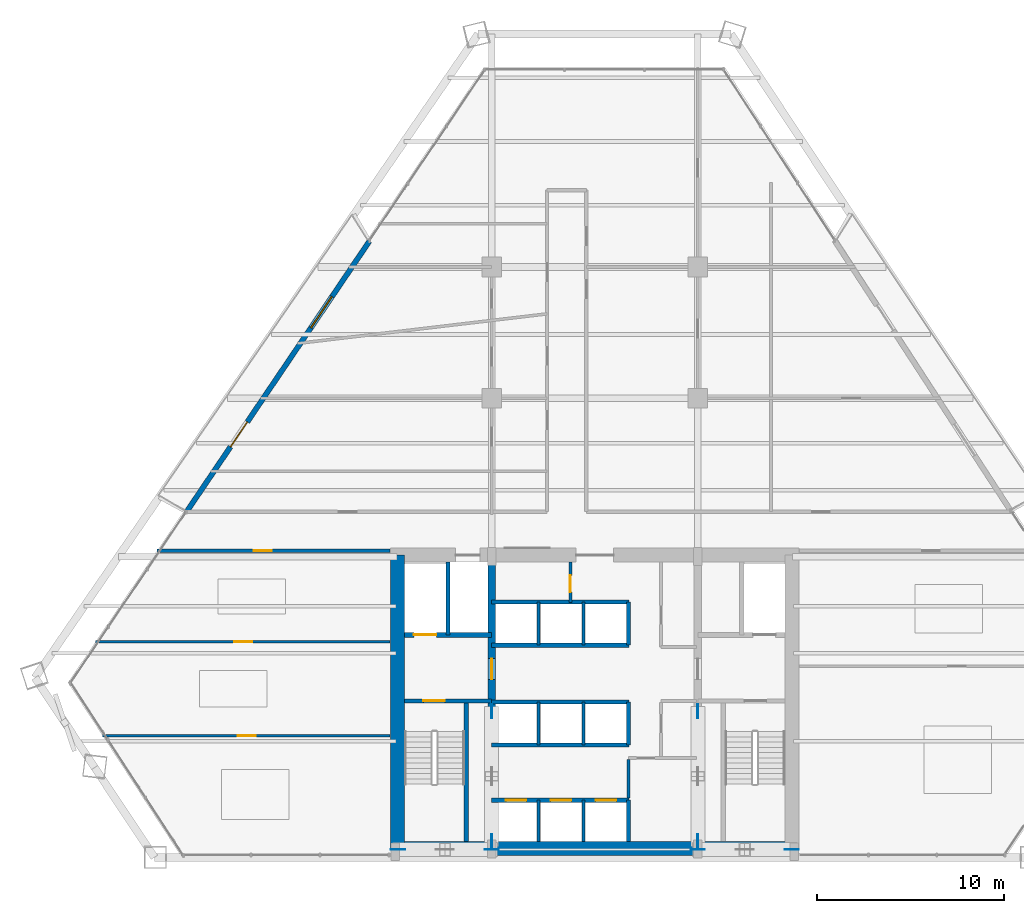
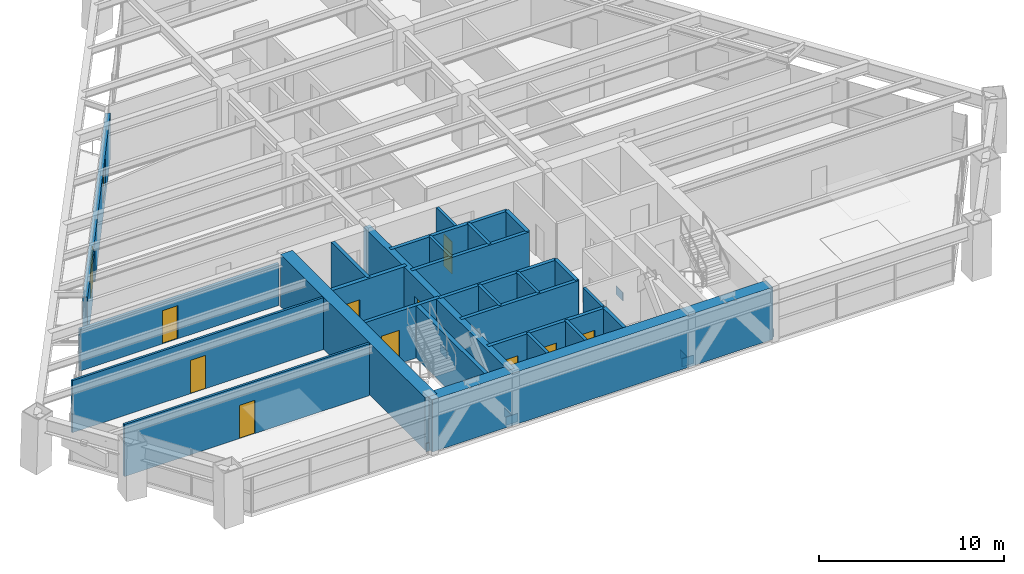
# One storey, part 10 of 14: 27 walls, 11 doors, 8 plates, 1 window, 12 openings.
"""IFC4 building model written with IfcOpenShell, lengths in metres."""

from ifc_helpers import new_model, si_unit, direction, frame, frame_2d, origin, origin_2d, place, context, subcontext, project, spatial, rectangle, extrude, source, transform, mapped, material, layer, layer_set, type_object, type_shapes, element, fill, save


model = new_model("IFC4")

# Units and contexts
model_context = context("Model", 3, precision=1e-05, world=origin(), true_north=direction((0.0, 1.0)))
body_context = subcontext(model_context, "Body", "Model", "MODEL_VIEW")
ifc_project = project(units=[si_unit("LENGTHUNIT", "METRE"), si_unit("AREAUNIT", "SQUARE_METRE"), si_unit("VOLUMEUNIT", "CUBIC_METRE"), si_unit("PLANEANGLEUNIT", "RADIAN"), si_unit("MASSUNIT", "GRAM", prefix="KILO")], contexts=[model_context])

# Site, building, storey
site_placement = place(None, origin())
site = spatial("IfcSite", under=ifc_project, at=site_placement, CompositionType="ELEMENT")
building_placement = place(site_placement, origin())
building = spatial("IfcBuilding", under=site, at=building_placement, Name="Varnakhor Terracotta Tower", CompositionType="ELEMENT")
storey_placement = place(building_placement, frame((0.0, 0.0, 84.0)))
storey = spatial("IfcBuildingStorey", under=building, at=storey_placement, Name="L20", CompositionType="ELEMENT", Elevation=84.0)

# Plates
ifc_material_1 = material(Name="Steel S460", Category="steel")
ifc_layer_1 = layer(ifc_material_1, 0.050048828125, Name="Steel S460")
ifc_layer_set_1 = layer_set([ifc_layer_1], Name="Steel S460")
plate_type = type_object("IfcPlateType", Name="PLT-GUSSET-50", PredefinedType="USERDEFINED", material=ifc_layer_set_1)
shared_shape_1 = source(origin(), body_context, "Body", "SweptSolid", [
    extrude(rectangle(XDim=0.75, YDim=0.0400390625, at=origin_2d()), origin(), (0.0, 0.0, 1.0), 0.550048828125),
])
type_shapes(plate_type, [shared_shape_1])
for number, where, z_axis, x_axis, name in (
    (1, (-10.5, 0.419921875, -0.09521484375), (0.0, 0.0, 1.0), (1.0, 0.0, 0.0), "L20 Core Brace Embed Plate CSWA"),
    (2, (-5.5, 0.419921875, -0.09521484375), (0.0, 0.0, 1.0), (1.0, 0.0, 0.0), "L20 Core Brace Embed Plate CSWB"),
    (3, (5.5, 0.419921875, -0.09521484375), (0.0, 0.0, 1.0), (1.0, 0.0, 0.0), "L20 Core Brace Embed Plate CSEA"),
    (4, (10.5, 0.419921875, -0.09521484375), (0.0, 0.0, 1.0), (1.0, 0.0, 0.0), "L20 Core Brace Embed Plate CSEB"),
    (5, (-5.5, 0.85009765625, -0.09521484375), (0.0, 0.0, 1.0), (0.0, 1.0, 0.0), "L20 Core Brace Embed Plate CWWA"),
    (6, (-5.5, 7.800048828125, -0.09521484375), (0.0, 0.0, 1.0), (0.0, 1.0, 0.0), "L20 Core Brace Embed Plate CWWB"),
    (7, (5.5, 0.85009765625, -0.09521484375), (0.0, 0.0, 1.0), (0.0, 1.0, 0.0), "L20 Core Brace Embed Plate CWEA"),
    (8, (5.5, 7.800048828125, -0.09521484375), (0.0, 0.0, 1.0), (0.0, 1.0, 0.0), "L20 Core Brace Embed Plate CWEB"),
):
    element("IfcPlate", number, at=place(storey_placement, frame(where, z_axis=z_axis, x_axis=x_axis)), inside=storey, type_object=plate_type, Name=name, ObjectType="GUSSET PLATE", PredefinedType="USERDEFINED", context=body_context, shape_type="MappedRepresentation", body=[
        mapped(shared_shape_1, transform((0.0, 0.0, 0.0), scale=1.0)),
    ])

# Walls
ifc_material_2 = material(Name="Concrete C60/75", Category="concrete")
ifc_layer_2 = layer(ifc_material_2, 0.75, Name="Concrete C60/75")
ifc_layer_set_2 = layer_set([ifc_layer_2], Name="Concrete C60/75")
wall_type_1 = type_object("IfcWallType", Name="WAL-CORE-750", PredefinedType="SHEAR", material=ifc_layer_set_2)
wall_1_placement = place(storey_placement, frame((-10.64990234375, 0.47509765625, 0.0), z_axis=(0.0, 0.0, 1.0), x_axis=(1.0, 0.0, 0.0)))
element("IfcWall", 9, at=wall_1_placement, inside=storey, type_object=wall_type_1, Name="L20 South Core Shear Wall", PredefinedType="SHEAR", context=body_context, shape_type="SweptSolid", body=[
    extrude(rectangle(XDim=21.2998046875, YDim=0.75, at=frame_2d((10.64990234375, 0.0))), origin(), (0.0, 0.0, 1.0), 3.449951171875),
])
wall_2_placement = place(storey_placement, frame((-10.52490234375, 0.47509765625, 0.0), z_axis=(0.0, 0.0, 1.0), x_axis=(0.0, 1.0, 0.0)))
element("IfcWall", 10, at=wall_2_placement, inside=storey, type_object=wall_type_1, Name="L20 West Core Shear Wall", PredefinedType="SHEAR", context=body_context, shape_type="SweptSolid", body=[
    extrude(rectangle(XDim=15.64990234375, YDim=0.75, at=frame_2d((7.824951171875, 0.0))), origin(), (0.0, 0.0, 1.0), 3.449951171875),
])

# Wall, opening, door
ifc_material_3 = material(Name="Concrete C50/60", Category="concrete")
ifc_layer_3 = layer(ifc_material_3, 0.39990234375, Name="Concrete C50/60")
ifc_layer_set_3 = layer_set([ifc_layer_3], Name="Concrete C50/60")
wall_type_2 = type_object("IfcWallType", Name="WAL-CORE-WEB-400", PredefinedType="SHEAR", material=ifc_layer_set_3)
wall_3_placement = place(storey_placement, frame((-5.5, 0.47509765625, 0.0), z_axis=(0.0, 0.0, 1.0), x_axis=(0.0, 1.0, 0.0)))
wall_3 = element("IfcWall", 11, at=wall_3_placement, inside=storey, type_object=wall_type_2, Name="L20 West Core Web Shear Wall", PredefinedType="SHEAR", context=body_context, shape_type="SweptSolid", body=[
    extrude(rectangle(XDim=15.64990234375, YDim=0.39990234375, at=frame_2d((7.824951171875, 0.0))), origin(), (0.0, 0.0, 1.0), 3.449951171875),
])
opening_1_placement = place(wall_3_placement, frame((9.02490234375, 0.0, 0.0)))
opening_1 = element("IfcOpeningElement", 12, at=opening_1_placement, cuts=wall_3, Name="Opening DR-25", PredefinedType="OPENING", context=body_context, shape_type="SweptSolid", body=[
    extrude(rectangle(XDim=1.10009765625, YDim=2.199951171875, at=frame_2d((0.550048828125, 1.10009765625))), frame((0.0, 0.2099609375, 0.0), z_axis=(0.0, -1.0, 0.0), x_axis=(1.0, 0.0, 0.0)), (0.0, 0.0, 1.0), 0.419921875),
])
ifc_material_4 = material(Name="Firefighting Lobby Self-Closing Fire Door", Category="steel")
door_type_1 = type_object("IfcDoorType", Name="DR-FFL-1100X2200", OperationType="NOTDEFINED", PredefinedType="DOOR", material=ifc_material_4)
shared_shape_2 = source(origin(), body_context, "Body", "SweptSolid", [
    extrude(rectangle(XDim=1.10009765625, YDim=2.199951171875, at=frame_2d((0.550048828125, 1.10009765625))), frame((0.0, 0.02490234375, 0.0), z_axis=(0.0, -1.0, 0.0), x_axis=(1.0, 0.0, 0.0)), (0.0, 0.0, 1.0), 0.050048828125),
])
type_shapes(door_type_1, [shared_shape_2])
door_1_placement = place(opening_1_placement, origin())
door_1 = element("IfcDoor", 13, at=door_1_placement, inside=storey, type_object=door_type_1, Name="L20 West Firefighting Lobby Door", OperationType="SINGLE_SWING_RIGHT", OverallHeight=2.199951171875, OverallWidth=1.10009765625, PredefinedType="DOOR", context=body_context, shape_type="MappedRepresentation", body=[
    mapped(shared_shape_2, transform((0.0, 0.0, 0.0), scale=1.0)),
])
fill(opening_1, door_1)

ifc_material_5 = material(Name="Fire-Rated Gypsum Stud Partition", Category="gypsum")
ifc_layer_4 = layer(ifc_material_5, 0.18505859375, Name="Fire-Rated Gypsum Stud Partition")
ifc_layer_set_4 = layer_set([ifc_layer_4], Name="Fire-Rated Gypsum Stud Partition")
wall_type_3 = type_object("IfcWallType", Name="WAL-CORR-185", PredefinedType="PARTITIONING", material=ifc_layer_set_4)
wall_4_placement = place(storey_placement, frame((-23.349853515625, 16.35009765625, 0.0), z_axis=(0.0, 0.0, 1.0), x_axis=(1.0, 0.0, 0.0)))
wall_4 = element("IfcWall", 14, at=wall_4_placement, inside=storey, type_object=wall_type_3, Name="L20 South West Corridor Wall", PredefinedType="PARTITIONING", context=body_context, shape_type="SweptSolid", body=[
    extrude(rectangle(XDim=12.429931640625, YDim=0.18505859375, at=frame_2d((6.21484375, 0.0))), origin(), (0.0, 0.0, 1.0), 2.7470703125),
])
opening_2_placement = place(wall_4_placement, frame((5.152587890625, 0.0, 0.0)))
opening_2 = element("IfcOpeningElement", 15, at=opening_2_placement, cuts=wall_4, Name="Opening DR-94", PredefinedType="OPENING", context=body_context, shape_type="SweptSolid", body=[
    extrude(rectangle(XDim=0.949951171875, YDim=2.199951171875, at=frame_2d((0.47509765625, 1.10009765625))), frame((0.0, 0.1025390625, 0.0), z_axis=(0.0, -1.0, 0.0), x_axis=(1.0, 0.0, 0.0)), (0.0, 0.0, 1.0), 0.205078125),
])
ifc_material_6 = material(Name="Acoustic Glazed-Vision Timber Office Door", Category="wood")
door_type_2 = type_object("IfcDoorType", Name="DR-OFF-950X2200", OperationType="NOTDEFINED", PredefinedType="DOOR", material=ifc_material_6)
shared_shape_3 = source(origin(), body_context, "Body", "SweptSolid", [
    extrude(rectangle(XDim=0.949951171875, YDim=2.199951171875, at=frame_2d((0.47509765625, 1.10009765625))), frame((0.0, 0.02490234375, 0.0), z_axis=(0.0, -1.0, 0.0), x_axis=(1.0, 0.0, 0.0)), (0.0, 0.0, 1.0), 0.050048828125),
])
type_shapes(door_type_2, [shared_shape_3])
door_2_placement = place(opening_2_placement, origin())
door_2 = element("IfcDoor", 16, at=door_2_placement, inside=storey, type_object=door_type_2, Name="L20 SW Suite Door", OperationType="SINGLE_SWING_LEFT", OverallHeight=2.199951171875, OverallWidth=0.949951171875, PredefinedType="DOOR", context=body_context, shape_type="MappedRepresentation", body=[
    mapped(shared_shape_3, transform((0.0, 0.0, 0.0), scale=1.0)),
])
fill(opening_2, door_2)

# Wall, openings, door, window
ifc_material_7 = material(Name="Extruded Architectural Terracotta Assembly", Category="masonry")
ifc_layer_5 = layer(ifc_material_7, 0.280029296875, Name="Extruded Architectural Terracotta Assembly")
ifc_layer_set_5 = layer_set([ifc_layer_5], Name="Extruded Architectural Terracotta Assembly")
wall_type_4 = type_object("IfcWallType", Name="WAL-EXT-TERRACOTTA-280", PredefinedType="SOLIDWALL", material=ifc_layer_set_5)
wall_5_placement = place(storey_placement, frame((-21.781005859375, 18.439697265625, 0.0), z_axis=(0.0, 0.0, 1.0), x_axis=(0.559902105929, 0.828558767847, 0.0)))
wall_5 = element("IfcWall", 17, at=wall_5_placement, inside=storey, type_object=wall_type_4, Name="L20 W Loggia Insulated Terracotta Wall", PredefinedType="SOLIDWALL", context=body_context, shape_type="SweptSolid", body=[
    extrude(rectangle(XDim=17.433349609375, YDim=0.280029296875, at=frame_2d((8.716796875, 0.0))), origin(), (0.0, 0.0, 1.0), 3.030029296875),
])
opening_3_placement = place(wall_5_placement, frame((4.18408203125, 0.0, 0.0)))
opening_3 = element("IfcOpeningElement", 18, at=opening_3_placement, cuts=wall_5, Name="Opening DR-62", PredefinedType="OPENING", context=body_context, shape_type="SweptSolid", body=[
    extrude(rectangle(XDim=1.60009765625, YDim=2.35009765625, at=frame_2d((0.800048828125, 1.175048828125))), frame((0.0, 0.14990234375, 0.0), z_axis=(0.0, -1.0, 0.0), x_axis=(1.0, 0.0, 0.0)), (0.0, 0.0, 1.0), 0.300048828125),
])
opening_4_placement = place(wall_5_placement, frame((11.854736328125, 0.0, 0.89990234375)))
opening_4 = element("IfcOpeningElement", 19, at=opening_4_placement, cuts=wall_5, Name="Opening WN-26", PredefinedType="OPENING", context=body_context, shape_type="SweptSolid", body=[
    extrude(rectangle(XDim=2.0, YDim=1.85009765625, at=frame_2d((1.0, 0.925048828125))), frame((0.0, 0.14990234375, 0.0), z_axis=(0.0, -1.0, 0.0), x_axis=(1.0, 0.0, 0.0)), (0.0, 0.0, 1.0), 0.300048828125),
])
ifc_material_8 = material(Name="Thermally Broken Sliding Glass Loggia Door", Category="glass")
door_type_3 = type_object("IfcDoorType", Name="DR-EXT-LOGGIA-1600X2350", OperationType="NOTDEFINED", PredefinedType="DOOR", material=ifc_material_8)
shared_shape_4 = source(origin(), body_context, "Body", "SweptSolid", [
    extrude(rectangle(XDim=1.60009765625, YDim=2.35009765625, at=frame_2d((0.800048828125, 1.175048828125))), frame((0.0, 0.02490234375, 0.0), z_axis=(0.0, -1.0, 0.0), x_axis=(1.0, 0.0, 0.0)), (0.0, 0.0, 1.0), 0.050048828125),
])
type_shapes(door_type_3, [shared_shape_4])
door_3_placement = place(opening_3_placement, origin())
door_3 = element("IfcDoor", 20, at=door_3_placement, inside=storey, type_object=door_type_3, Name="L20 W Recessed Loggia Sliding Door", OperationType="SLIDING_TO_LEFT", OverallHeight=2.35009765625, OverallWidth=1.60009765625, PredefinedType="DOOR", context=body_context, shape_type="MappedRepresentation", body=[
    mapped(shared_shape_4, transform((0.0, 0.0, 0.0), scale=1.0)),
])
fill(opening_3, door_3)
ifc_material_9 = material(Name="Solar-Control Low-E Insulated Glass Unit", Category="glass")
window_type = type_object("IfcWindowType", Name="WIN-OFF-2200X2100", PartitioningType="SINGLE_PANEL", PredefinedType="WINDOW", material=ifc_material_9)
shared_shape_5 = source(origin(), body_context, "Body", "SweptSolid", [
    extrude(rectangle(XDim=2.0, YDim=1.85009765625, at=frame_2d((1.0, 0.925048828125))), frame((0.0, 0.030029296875, 0.0), z_axis=(0.0, -1.0, 0.0), x_axis=(1.0, 0.0, 0.0)), (0.0, 0.0, 1.0), 0.06005859375),
])
type_shapes(window_type, [shared_shape_5])
window_placement = place(opening_4_placement, origin())
window = element("IfcWindow", 21, at=window_placement, inside=storey, type_object=window_type, Name="L20 W Facet Punched Window", OverallHeight=1.85009765625, OverallWidth=2.0, PartitioningType="SINGLE_PANEL", PredefinedType="WINDOW", context=body_context, shape_type="MappedRepresentation", body=[
    mapped(shared_shape_5, transform((0.0, 0.0, 0.0), scale=1.0)),
])
fill(opening_4, window)

# Wall, opening, door
ifc_material_10 = material(Name="Concrete C40/50", Category="concrete")
ifc_layer_6 = layer(ifc_material_10, 0.219970703125, Name="Concrete C40/50")
ifc_layer_set_6 = layer_set([ifc_layer_6], Name="Concrete C40/50")
wall_type_5 = type_object("IfcWallType", Name="WAL-FFLOBBY-220", PredefinedType="SOLIDWALL", material=ifc_layer_set_6)
wall_6_placement = place(storey_placement, frame((-5.5, 8.35009765625, 0.0), z_axis=(0.0, 0.0, 1.0), x_axis=(-1.0, 0.0, 0.0)))
wall_6 = element("IfcWall", 22, at=wall_6_placement, inside=storey, type_object=wall_type_5, Name="L20 West Firefighting Lobby Stair Wall", PredefinedType="SOLIDWALL", context=body_context, shape_type="SweptSolid", body=[
    extrude(rectangle(XDim=4.64990234375, YDim=0.219970703125, at=frame_2d((2.324951171875, 0.0))), origin(), (0.0, 0.0, 1.0), 3.449951171875),
])
opening_5_placement = place(wall_6_placement, frame((2.5, 0.0, 0.0)))
opening_5 = element("IfcOpeningElement", 23, at=opening_5_placement, cuts=wall_6, Name="Opening DR-34", PredefinedType="OPENING", context=body_context, shape_type="SweptSolid", body=[
    extrude(rectangle(XDim=1.14990234375, YDim=2.199951171875, at=frame_2d((0.574951171875, 1.10009765625))), frame((0.0, 0.1201171875, 0.0), z_axis=(0.0, -1.0, 0.0), x_axis=(1.0, 0.0, 0.0)), (0.0, 0.0, 1.0), 0.239990234375),
])
ifc_material_11 = material(Name="Self-Closing Smoke-Sealed Steel Fire Door", Category="steel")
door_type_4 = type_object("IfcDoorType", Name="DR-STAIR-1150X2200", OperationType="NOTDEFINED", PredefinedType="DOOR", material=ifc_material_11)
shared_shape_6 = source(origin(), body_context, "Body", "SweptSolid", [
    extrude(rectangle(XDim=1.14990234375, YDim=2.199951171875, at=frame_2d((0.574951171875, 1.10009765625))), frame((0.0, 0.02490234375, 0.0), z_axis=(0.0, -1.0, 0.0), x_axis=(1.0, 0.0, 0.0)), (0.0, 0.0, 1.0), 0.050048828125),
])
type_shapes(door_type_4, [shared_shape_6])
door_4_placement = place(opening_5_placement, origin())
door_4 = element("IfcDoor", 24, at=door_4_placement, inside=storey, type_object=door_type_4, Name="L20 Exit Stair ST-1 Fire Door", OperationType="SINGLE_SWING_LEFT", OverallHeight=2.199951171875, OverallWidth=1.14990234375, PredefinedType="DOOR", context=body_context, shape_type="MappedRepresentation", body=[
    mapped(shared_shape_6, transform((0.0, 0.0, 0.0), scale=1.0)),
])
fill(opening_5, door_4)

ifc_material_12 = material(Name="Acoustic Metal-Stud Partition", Category="gypsum")
ifc_layer_7 = layer(ifc_material_12, 0.139892578125, Name="Acoustic Metal-Stud Partition")
ifc_layer_set_7 = layer_set([ifc_layer_7], Name="Acoustic Metal-Stud Partition")
wall_type_6 = type_object("IfcWallType", Name="WAL-PART-140", PredefinedType="PARTITIONING", material=ifc_layer_set_7)
wall_7_placement = place(storey_placement, frame((-26.2548828125, 6.5, 0.0), z_axis=(0.0, 0.0, 1.0), x_axis=(1.0, 0.0, 0.0)))
wall_7 = element("IfcWall", 25, at=wall_7_placement, inside=storey, type_object=wall_type_6, Name="L20 South West Cut 1", PredefinedType="PARTITIONING", context=body_context, shape_type="SweptSolid", body=[
    extrude(rectangle(XDim=15.3349609375, YDim=0.139892578125, at=frame_2d((7.66748046875, 0.0))), origin(), (0.0, 0.0, 1.0), 3.44189453125),
])
opening_6_placement = place(wall_7_placement, frame((7.201904296875, 0.0, 0.0)))
opening_6 = element("IfcOpeningElement", 26, at=opening_6_placement, cuts=wall_7, Name="Opening DR-94", PredefinedType="OPENING", context=body_context, shape_type="SweptSolid", body=[
    extrude(rectangle(XDim=0.949951171875, YDim=2.199951171875, at=frame_2d((0.47509765625, 1.10009765625))), frame((0.0, 0.080078125, 0.0), z_axis=(0.0, -1.0, 0.0), x_axis=(1.0, 0.0, 0.0)), (0.0, 0.0, 1.0), 0.159912109375),
])
door_5_placement = place(opening_6_placement, origin())
door_5 = element("IfcDoor", 27, at=door_5_placement, inside=storey, type_object=door_type_2, Name="L20 South West Executive Office Door", OperationType="SINGLE_SWING_LEFT", OverallHeight=2.199951171875, OverallWidth=0.949951171875, PredefinedType="DOOR", context=body_context, shape_type="MappedRepresentation", body=[
    mapped(shared_shape_3, transform((0.0, 0.0, 0.0), scale=1.0)),
])
fill(opening_6, door_5)

wall_8_placement = place(storey_placement, frame((-26.62744140625, 11.5, 0.0), z_axis=(0.0, 0.0, 1.0), x_axis=(1.0, 0.0, 0.0)))
wall_8 = element("IfcWall", 28, at=wall_8_placement, inside=storey, type_object=wall_type_6, Name="L20 South West Cut 2", PredefinedType="PARTITIONING", context=body_context, shape_type="SweptSolid", body=[
    extrude(rectangle(XDim=15.70751953125, YDim=0.139892578125, at=frame_2d((7.853759765625, 0.0))), origin(), (0.0, 0.0, 1.0), 3.44189453125),
])
opening_7_placement = place(wall_8_placement, frame((7.39111328125, 0.0, 0.0)))
opening_7 = element("IfcOpeningElement", 29, at=opening_7_placement, cuts=wall_8, Name="Opening DR-94", PredefinedType="OPENING", context=body_context, shape_type="SweptSolid", body=[
    extrude(rectangle(XDim=0.949951171875, YDim=2.199951171875, at=frame_2d((0.47509765625, 1.10009765625))), frame((0.0, 0.080078125, 0.0), z_axis=(0.0, -1.0, 0.0), x_axis=(1.0, 0.0, 0.0)), (0.0, 0.0, 1.0), 0.159912109375),
])
door_6_placement = place(opening_7_placement, origin())
door_6 = element("IfcDoor", 30, at=door_6_placement, inside=storey, type_object=door_type_2, Name="L20 Cellular Office 3 B3 Door", OperationType="SINGLE_SWING_RIGHT", OverallHeight=2.199951171875, OverallWidth=0.949951171875, PredefinedType="DOOR", context=body_context, shape_type="MappedRepresentation", body=[
    mapped(shared_shape_3, transform((0.0, 0.0, 0.0), scale=1.0)),
])
fill(opening_7, door_6)

# Walls
ifc_layer_8 = layer(ifc_material_10, 0.179931640625, Name="Concrete C40/50")
ifc_layer_set_8 = layer_set([ifc_layer_8], Name="Concrete C40/50")
wall_type_7 = type_object("IfcWallType", Name="WAL-SHAFT-180", PredefinedType="SOLIDWALL", material=ifc_layer_set_8)
for number, where, z_axis, x_axis, name in (
    (31, (-3.0, 0.85009765625, 0.0), (0.0, 0.0, 1.0), (0.0, 1.0, 0.0), "L20 PL-1A Divider"),
    (32, (-0.60009765625, 0.85009765625, 0.0), (0.0, 0.0, 1.0), (0.0, 1.0, 0.0), "L20 PL-1B Divider"),
):
    element("IfcWall", number, at=place(storey_placement, frame(where, z_axis=z_axis, x_axis=x_axis)), inside=storey, type_object=wall_type_7, Name=name, PredefinedType="SOLIDWALL", context=body_context, shape_type="SweptSolid", body=[
        extrude(rectangle(XDim=2.199951171875, YDim=0.179931640625, at=frame_2d((1.10009765625, 0.0))), origin(), (0.0, 0.0, 1.0), 3.449951171875),
    ])
for number, where, z_axis, x_axis, name in (
    (33, (-3.0, 6.0, 0.0), (0.0, 0.0, 1.0), (0.0, 1.0, 0.0), "L20 PL-2A Divider"),
    (34, (-0.60009765625, 6.0, 0.0), (0.0, 0.0, 1.0), (0.0, 1.0, 0.0), "L20 PL-2B Divider"),
    (35, (-3.0, 11.320068359375, 0.0), (0.0, 0.0, 1.0), (0.0, 1.0, 0.0), "L20 PL-3A Divider"),
    (36, (-0.60009765625, 11.320068359375, 0.0), (0.0, 0.0, 1.0), (0.0, 1.0, 0.0), "L20 PL-3B Divider"),
):
    element("IfcWall", number, at=place(storey_placement, frame(where, z_axis=z_axis, x_axis=x_axis)), inside=storey, type_object=wall_type_7, Name=name, PredefinedType="SOLIDWALL", context=body_context, shape_type="SweptSolid", body=[
        extrude(rectangle(XDim=2.300048828125, YDim=0.179931640625, at=frame_2d((1.14990234375, 0.0))), origin(), (0.0, 0.0, 1.0), 3.449951171875),
    ])
ifc_layer_9 = layer(ifc_material_10, 0.219970703125, Name="Concrete C40/50")
ifc_layer_set_9 = layer_set([ifc_layer_9], Name="Concrete C40/50")
wall_type_8 = type_object("IfcWallType", Name="WAL-SHAFT-220", PredefinedType="SOLIDWALL", material=ifc_layer_set_9)
wall_9_placement = place(storey_placement, frame((-7.840087890625, 11.8701171875, 0.0), z_axis=(0.0, 0.0, 1.0), x_axis=(0.0, 1.0, 0.0)))
element("IfcWall", 37, at=wall_9_placement, inside=storey, type_object=wall_type_8, Name="L20 Lift FFL-1 and SVL-1 Divider Wall", PredefinedType="SOLIDWALL", context=body_context, shape_type="SweptSolid", body=[
    extrude(rectangle(XDim=3.8798828125, YDim=0.219970703125, at=frame_2d((1.93994140625, 0.0))), origin(), (0.0, 0.0, 1.0), 3.449951171875),
])

# Wall, openings, doors
wall_10_placement = place(storey_placement, frame((-5.5, 3.050048828125, 0.0), z_axis=(0.0, 0.0, 1.0), x_axis=(1.0, 0.0, 0.0)))
wall_10 = element("IfcWall", 38, at=wall_10_placement, inside=storey, type_object=wall_type_8, Name="L20 Bank 1 Lift Shaft Wall", PredefinedType="SOLIDWALL", context=body_context, shape_type="SweptSolid", body=[
    extrude(rectangle(XDim=7.320068359375, YDim=0.219970703125, at=frame_2d((3.66015625, 0.0))), origin(), (0.0, 0.0, 1.0), 3.449951171875),
])
opening_8_placement = place(wall_10_placement, frame((0.75, 0.0, 0.0)))
opening_8 = element("IfcOpeningElement", 39, at=opening_8_placement, cuts=wall_10, Name="Opening LD-01", PredefinedType="OPENING", context=body_context, shape_type="SweptSolid", body=[
    extrude(rectangle(XDim=1.10009765625, YDim=2.199951171875, at=frame_2d((0.550048828125, 1.10009765625))), frame((0.0, 0.1201171875, 0.0), z_axis=(0.0, -1.0, 0.0), x_axis=(1.0, 0.0, 0.0)), (0.0, 0.0, 1.0), 0.239990234375),
])
opening_9_placement = place(wall_10_placement, frame((3.14990234375, 0.0, 0.0)))
opening_9 = element("IfcOpeningElement", 40, at=opening_9_placement, cuts=wall_10, Name="Opening LD-01", PredefinedType="OPENING", context=body_context, shape_type="SweptSolid", body=[
    extrude(rectangle(XDim=1.10009765625, YDim=2.199951171875, at=frame_2d((0.550048828125, 1.10009765625))), frame((0.0, 0.1201171875, 0.0), z_axis=(0.0, -1.0, 0.0), x_axis=(1.0, 0.0, 0.0)), (0.0, 0.0, 1.0), 0.239990234375),
])
opening_10_placement = place(wall_10_placement, frame((5.550048828125, 0.0, 0.0)))
opening_10 = element("IfcOpeningElement", 41, at=opening_10_placement, cuts=wall_10, Name="Opening LD-01", PredefinedType="OPENING", context=body_context, shape_type="SweptSolid", body=[
    extrude(rectangle(XDim=1.10009765625, YDim=2.199951171875, at=frame_2d((0.550048828125, 1.10009765625))), frame((0.0, 0.1201171875, 0.0), z_axis=(0.0, -1.0, 0.0), x_axis=(1.0, 0.0, 0.0)), (0.0, 0.0, 1.0), 0.239990234375),
])
ifc_material_13 = material(Name="Brushed Stainless Steel Sliding Lift Landing Door", Category="steel")
door_type_5 = type_object("IfcDoorType", Name="LD-PASS-1100X2200", OperationType="NOTDEFINED", PredefinedType="DOOR", material=ifc_material_13)
shared_shape_7 = source(origin(), body_context, "Body", "SweptSolid", [
    extrude(rectangle(XDim=1.10009765625, YDim=2.199951171875, at=frame_2d((0.550048828125, 1.10009765625))), frame((0.0, 0.02490234375, 0.0), z_axis=(0.0, -1.0, 0.0), x_axis=(1.0, 0.0, 0.0)), (0.0, 0.0, 1.0), 0.050048828125),
])
type_shapes(door_type_5, [shared_shape_7])
door_7_placement = place(opening_8_placement, origin())
door_7 = element("IfcDoor", 42, at=door_7_placement, inside=storey, type_object=door_type_5, Name="L20 Passenger Lift PL-1A Landing Door", OperationType="SLIDING_TO_RIGHT", OverallHeight=2.199951171875, OverallWidth=1.10009765625, PredefinedType="DOOR", context=body_context, shape_type="MappedRepresentation", body=[
    mapped(shared_shape_7, transform((0.0, 0.0, 0.0), scale=1.0)),
])
fill(opening_8, door_7)
door_8_placement = place(opening_9_placement, origin())
door_8 = element("IfcDoor", 43, at=door_8_placement, inside=storey, type_object=door_type_5, Name="L20 Passenger Lift PL-1B Landing Door", OperationType="SLIDING_TO_RIGHT", OverallHeight=2.199951171875, OverallWidth=1.10009765625, PredefinedType="DOOR", context=body_context, shape_type="MappedRepresentation", body=[
    mapped(shared_shape_7, transform((0.0, 0.0, 0.0), scale=1.0)),
])
fill(opening_9, door_8)
door_9_placement = place(opening_10_placement, origin())
door_9 = element("IfcDoor", 44, at=door_9_placement, inside=storey, type_object=door_type_5, Name="L20 Passenger Lift PL-1C Landing Door", OperationType="SLIDING_TO_RIGHT", OverallHeight=2.199951171875, OverallWidth=1.10009765625, PredefinedType="DOOR", context=body_context, shape_type="MappedRepresentation", body=[
    mapped(shared_shape_7, transform((0.0, 0.0, 0.0), scale=1.0)),
])
fill(opening_10, door_9)

# Walls
wall_11_placement = place(storey_placement, frame((1.800048828125, 0.85009765625, 0.0), z_axis=(0.0, 0.0, 1.0), x_axis=(0.0, 1.0, 0.0)))
element("IfcWall", 45, at=wall_11_placement, inside=storey, type_object=wall_type_8, Name="L20 Bank 1 East Shaft Wall", PredefinedType="SOLIDWALL", context=body_context, shape_type="SweptSolid", body=[
    extrude(rectangle(XDim=2.199951171875, YDim=0.219970703125, at=frame_2d((1.10009765625, 0.0))), origin(), (0.0, 0.0, 1.0), 3.449951171875),
])
for number, where, z_axis, x_axis, name in (
    (46, (-5.5, 6.0, 0.0), (0.0, 0.0, 1.0), (1.0, 0.0, 0.0), "L20 Bank 2 South Shaft Wall"),
    (47, (-5.5, 8.300048828125, 0.0), (0.0, 0.0, 1.0), (1.0, 0.0, 0.0), "L20 Bank 2 North Shaft Wall"),
):
    element("IfcWall", number, at=place(storey_placement, frame(where, z_axis=z_axis, x_axis=x_axis)), inside=storey, type_object=wall_type_8, Name=name, PredefinedType="SOLIDWALL", context=body_context, shape_type="SweptSolid", body=[
        extrude(rectangle(XDim=7.320068359375, YDim=0.219970703125, at=frame_2d((3.66015625, 0.0))), origin(), (0.0, 0.0, 1.0), 3.449951171875),
    ])
wall_12_placement = place(storey_placement, frame((1.800048828125, 6.0, 0.0), z_axis=(0.0, 0.0, 1.0), x_axis=(0.0, 1.0, 0.0)))
element("IfcWall", 48, at=wall_12_placement, inside=storey, type_object=wall_type_8, Name="L20 Bank 2 East Shaft Wall", PredefinedType="SOLIDWALL", context=body_context, shape_type="SweptSolid", body=[
    extrude(rectangle(XDim=2.300048828125, YDim=0.219970703125, at=frame_2d((1.14990234375, 0.0))), origin(), (0.0, 0.0, 1.0), 3.449951171875),
])
for number, where, z_axis, x_axis, name in (
    (49, (-5.5, 11.320068359375, 0.0), (0.0, 0.0, 1.0), (1.0, 0.0, 0.0), "L20 Bank 3 South Shaft Wall"),
    (50, (-5.5, 13.6201171875, 0.0), (0.0, 0.0, 1.0), (1.0, 0.0, 0.0), "L20 Bank 3 North Shaft Wall"),
):
    element("IfcWall", number, at=place(storey_placement, frame(where, z_axis=z_axis, x_axis=x_axis)), inside=storey, type_object=wall_type_8, Name=name, PredefinedType="SOLIDWALL", context=body_context, shape_type="SweptSolid", body=[
        extrude(rectangle(XDim=7.320068359375, YDim=0.219970703125, at=frame_2d((3.66015625, 0.0))), origin(), (0.0, 0.0, 1.0), 3.449951171875),
    ])
wall_13_placement = place(storey_placement, frame((1.800048828125, 11.320068359375, 0.0), z_axis=(0.0, 0.0, 1.0), x_axis=(0.0, 1.0, 0.0)))
element("IfcWall", 51, at=wall_13_placement, inside=storey, type_object=wall_type_8, Name="L20 Bank 3 East Shaft Wall", PredefinedType="SOLIDWALL", context=body_context, shape_type="SweptSolid", body=[
    extrude(rectangle(XDim=2.300048828125, YDim=0.219970703125, at=frame_2d((1.14990234375, 0.0))), origin(), (0.0, 0.0, 1.0), 3.449951171875),
])
ifc_layer_10 = layer(ifc_material_10, 0.25, Name="Concrete C40/50")
ifc_layer_set_10 = layer_set([ifc_layer_10], Name="Concrete C40/50")
wall_type_9 = type_object("IfcWallType", Name="WAL-SHAFT-250", PredefinedType="SOLIDWALL", material=ifc_layer_set_10)
wall_14_placement = place(storey_placement, frame((-6.85009765625, 0.85009765625, 0.0), z_axis=(0.0, 0.0, 1.0), x_axis=(0.0, 1.0, 0.0)))
element("IfcWall", 52, at=wall_14_placement, inside=storey, type_object=wall_type_9, Name="L20 Stair ST-1 Bearing Shaft Wall", PredefinedType="SOLIDWALL", context=body_context, shape_type="SweptSolid", body=[
    extrude(rectangle(XDim=7.5, YDim=0.25, at=frame_2d((3.75, 0.0))), origin(), (0.0, 0.0, 1.0), 3.449951171875),
])

# Wall, opening, door
wall_15_placement = place(storey_placement, frame((-5.5, 11.8701171875, 0.0), z_axis=(0.0, 0.0, 1.0), x_axis=(-1.0, 0.0, 0.0)))
wall_15 = element("IfcWall", 53, at=wall_15_placement, inside=storey, type_object=wall_type_9, Name="L20 Lift FFL-1 Shaft Front Wall", PredefinedType="SOLIDWALL", context=body_context, shape_type="SweptSolid", body=[
    extrude(rectangle(XDim=4.64990234375, YDim=0.25, at=frame_2d((2.324951171875, 0.0))), origin(), (0.0, 0.0, 1.0), 3.449951171875),
])
opening_11_placement = place(wall_15_placement, frame((2.949951171875, 0.0, 0.0)))
opening_11 = element("IfcOpeningElement", 54, at=opening_11_placement, cuts=wall_15, Name="Opening LD-02", PredefinedType="OPENING", context=body_context, shape_type="SweptSolid", body=[
    extrude(rectangle(XDim=1.199951171875, YDim=2.25, at=frame_2d((0.60009765625, 1.125))), frame((0.0, 0.135009765625, 0.0), z_axis=(0.0, -1.0, 0.0), x_axis=(1.0, 0.0, 0.0)), (0.0, 0.0, 1.0), 0.27001953125),
])
ifc_material_14 = material(Name="Firefighting Stretcher Sliding Lift Landing Door", Category="steel")
door_type_6 = type_object("IfcDoorType", Name="LD-FFL-1200X2250", OperationType="NOTDEFINED", PredefinedType="DOOR", material=ifc_material_14)
shared_shape_8 = source(origin(), body_context, "Body", "SweptSolid", [
    extrude(rectangle(XDim=1.199951171875, YDim=2.25, at=frame_2d((0.60009765625, 1.125))), frame((0.0, 0.02490234375, 0.0), z_axis=(0.0, -1.0, 0.0), x_axis=(1.0, 0.0, 0.0)), (0.0, 0.0, 1.0), 0.050048828125),
])
type_shapes(door_type_6, [shared_shape_8])
door_10_placement = place(opening_11_placement, origin())
door_10 = element("IfcDoor", 55, at=door_10_placement, inside=storey, type_object=door_type_6, Name="L20 Firefighting Lift FFL-1 Landing Door", OperationType="SLIDING_TO_LEFT", OverallHeight=2.25, OverallWidth=1.199951171875, PredefinedType="DOOR", context=body_context, shape_type="MappedRepresentation", body=[
    mapped(shared_shape_8, transform((0.0, 0.0, 0.0), scale=1.0)),
])
fill(opening_11, door_10)

# Wall
ifc_material_15 = material(Name="Acoustic Fire-Rated Partition", Category="gypsum")
ifc_layer_11 = layer(ifc_material_15, 0.1650390625, Name="Acoustic Fire-Rated Partition")
ifc_layer_set_11 = layer_set([ifc_layer_11], Name="Acoustic Fire-Rated Partition")
wall_type_10 = type_object("IfcWallType", Name="WAL-TENANCY-165", PredefinedType="PARTITIONING", material=ifc_layer_set_11)
wall_16_placement = place(storey_placement, frame((1.800048828125, 3.159912109375, 0.0), z_axis=(0.0, 0.0, 1.0), x_axis=(0.0, 1.0, 0.0)))
element("IfcWall", 56, at=wall_16_placement, inside=storey, type_object=wall_type_10, Name="L20 Core South West Return Wall", PredefinedType="PARTITIONING", context=body_context, shape_type="SweptSolid", body=[
    extrude(rectangle(XDim=2.0576171875, YDim=0.1650390625, at=frame_2d((1.02880859375, 0.0))), origin(), (0.0, 0.0, 1.0), 3.44189453125),
])

# Wall, opening, door
wall_17_placement = place(storey_placement, frame((-1.300048828125, 13.60009765625, 0.0), z_axis=(0.0, 0.0, 1.0), x_axis=(0.0, 1.0, 0.0)))
wall_17 = element("IfcWall", 57, at=wall_17_placement, inside=storey, type_object=wall_type_10, Name="L20 Male Restroom Wall", PredefinedType="PARTITIONING", context=body_context, shape_type="SweptSolid", body=[
    extrude(rectangle(XDim=2.14990234375, YDim=0.1650390625, at=frame_2d((1.074951171875, 0.0))), origin(), (0.0, 0.0, 1.0), 3.44189453125),
])
opening_12_placement = place(wall_17_placement, frame((0.550048828125, 0.0, 0.0)))
opening_12 = element("IfcOpeningElement", 58, at=opening_12_placement, cuts=wall_17, Name="Opening DR-67", PredefinedType="OPENING", context=body_context, shape_type="SweptSolid", body=[
    extrude(rectangle(XDim=0.89990234375, YDim=2.10009765625, at=frame_2d((0.449951171875, 1.050048828125))), frame((0.0, 0.092529296875, 0.0), z_axis=(0.0, -1.0, 0.0), x_axis=(1.0, 0.0, 0.0)), (0.0, 0.0, 1.0), 0.18505859375),
])
ifc_material_16 = material(Name="Steel Service Riser Fire Door", Category="steel")
door_type_7 = type_object("IfcDoorType", Name="DR-RISER-900X2100", OperationType="NOTDEFINED", PredefinedType="DOOR", material=ifc_material_16)
shared_shape_9 = source(origin(), body_context, "Body", "SweptSolid", [
    extrude(rectangle(XDim=0.89990234375, YDim=2.10009765625, at=frame_2d((0.449951171875, 1.050048828125))), frame((0.0, 0.02490234375, 0.0), z_axis=(0.0, -1.0, 0.0), x_axis=(1.0, 0.0, 0.0)), (0.0, 0.0, 1.0), 0.050048828125),
])
type_shapes(door_type_7, [shared_shape_9])
door_11_placement = place(opening_12_placement, origin())
door_11 = element("IfcDoor", 59, at=door_11_placement, inside=storey, type_object=door_type_7, Name="L20 Male WC Door", OperationType="SINGLE_SWING_LEFT", OverallHeight=2.10009765625, OverallWidth=0.89990234375, PredefinedType="DOOR", context=body_context, shape_type="MappedRepresentation", body=[
    mapped(shared_shape_9, transform((0.0, 0.0, 0.0), scale=1.0)),
])
fill(opening_12, door_11)

save(model, "model.ifc")
